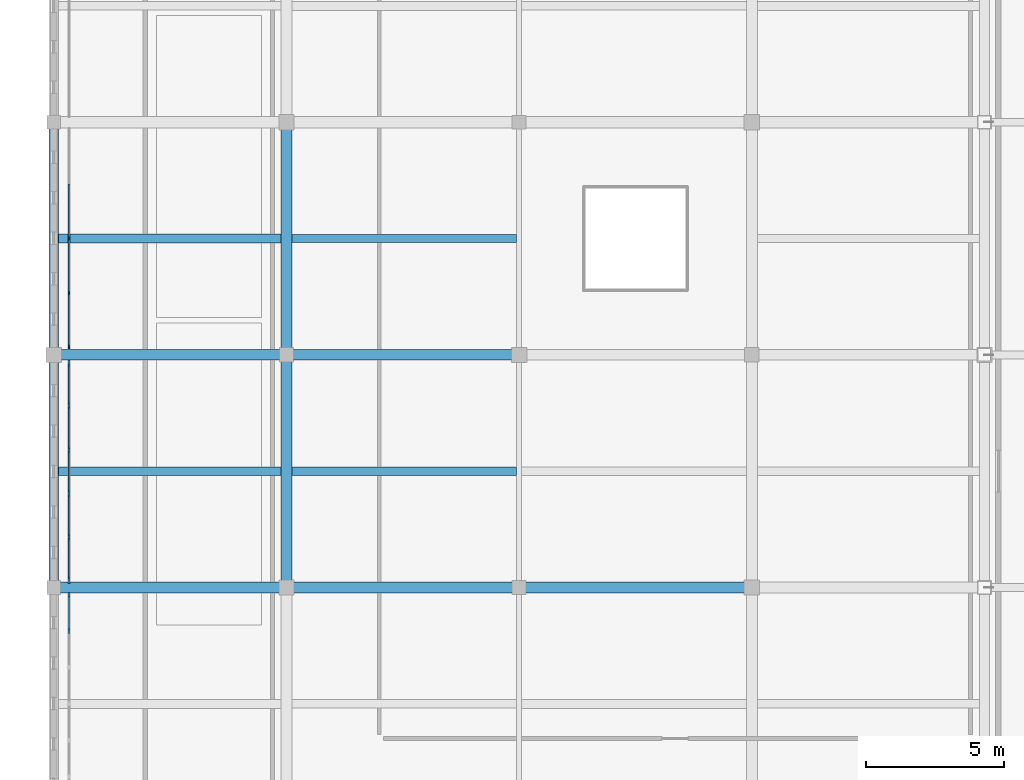
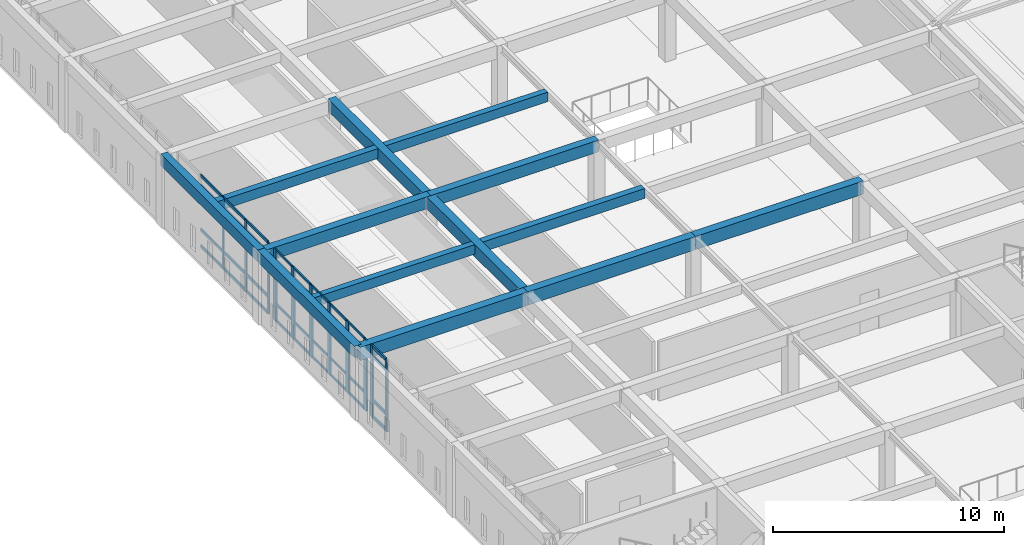
# One storey, part 8 of 36: 47 members, 13 beams, 3 elements without a shape of their own.
"""IFC4 building model written with IfcOpenShell, lengths in metres."""

import ifcopenshell
import ifcopenshell.guid

model = None  # the IFC model being written
_history = None  # IfcOwnerHistory: only IFC2X3 demands one
_inside = {}  # id of a spatial element -> (the spatial element, [elements in it])
_under = {}  # id of a project, library or spatial element -> (it, [spatial elements below it])
_declared = {}  # id of a project -> (the project, [libraries it declares])
_typed = {}  # id of a type object -> (the type object, [elements of that type])
_made_of = {}  # id of a material, layer set ... -> (it, [elements and type objects made of it])


def new_model(schema):
    """Start an empty IFC model of exactly this schema.

    Asked for "IFC4X3", IfcOpenShell would pick the latest addendum, in which some entities
    have other attributes; the version numbers below select the first issue.
    IFC2X3 requires an IfcOwnerHistory on every rooted entity: one is made here for all.
    """
    global model, _history
    if schema == "IFC4X3":
        model = ifcopenshell.file(schema_version=(4, 3, 0, 0))
    else:
        model = ifcopenshell.file(schema=schema)
    _inside.clear()
    _under.clear()
    _declared.clear()
    _typed.clear()
    _made_of.clear()
    _history = None
    if model.schema == "IFC2X3":
        org = make("IfcOrganization", Name="unknown")
        user = make(
            "IfcPersonAndOrganization",
            ThePerson=make("IfcPerson", FamilyName="unknown"),
            TheOrganization=org,
        )
        app = make(
            "IfcApplication",
            ApplicationDeveloper=org,
            Version="unknown",
            ApplicationFullName="unknown",
            ApplicationIdentifier="unknown",
        )
        _history = make(
            "IfcOwnerHistory",
            OwningUser=user,
            OwningApplication=app,
            ChangeAction="ADDED",
            CreationDate=0,
        )
    return model


def make(cls, **values):
    """One entity of the class cls with the attributes given. An attribute that is None is left unset."""
    return model.create_entity(
        cls, **{name: value for name, value in values.items() if value is not None}
    )


def rooted(cls, **values):
    """An entity with a GlobalId (a new one), such as an element, a storey or a relation."""
    return make(cls, GlobalId=ifcopenshell.guid.new(), OwnerHistory=_history, **values)


def si_unit(unit_type, name, prefix=None):
    """IfcSIUnit, for example si_unit("LENGTHUNIT", "METRE", prefix="MILLI")."""
    return make("IfcSIUnit", UnitType=unit_type, Prefix=prefix, Name=name)


def assignment(units):
    """IfcUnitAssignment: the units of a project."""
    return None if units is None else make("IfcUnitAssignment", Units=units)


def point(xyz):
    """IfcCartesianPoint."""
    return None if xyz is None else make("IfcCartesianPoint", Coordinates=xyz)


def direction(xyz):
    """IfcDirection."""
    return None if xyz is None else make("IfcDirection", DirectionRatios=xyz)


def frame(location, z_axis=None, x_axis=None):
    """IfcAxis2Placement3D, a coordinate frame: its origin and axes. An axis left out is left unset."""
    return make(
        "IfcAxis2Placement3D",
        Location=point(location),
        Axis=direction(z_axis),
        RefDirection=direction(x_axis),
    )


def frame_2d(location, x_axis=None):
    """IfcAxis2Placement2D, a coordinate frame in the plane: its origin and x axis."""
    return make(
        "IfcAxis2Placement2D", Location=point(location), RefDirection=direction(x_axis)
    )


def origin():
    """The frame at (0, 0, 0) with its axes left unset."""
    return frame((0.0, 0.0, 0.0))


def origin_2d():
    """The frame at (0, 0) in the plane with its x axis left unset."""
    return frame_2d((0.0, 0.0))


def place(relative_to, where):
    """IfcLocalPlacement: puts the frame where relative to a parent placement (None: the world)."""
    return make(
        "IfcLocalPlacement", PlacementRelTo=relative_to, RelativePlacement=where
    )


def context(
    kind, dimensions, precision=None, world=None, true_north=None, identifier=None
):
    """IfcGeometricRepresentationContext, for example the 3D "Model" context."""
    return make(
        "IfcGeometricRepresentationContext",
        ContextIdentifier=identifier,
        ContextType=kind,
        CoordinateSpaceDimension=dimensions,
        Precision=precision,
        WorldCoordinateSystem=world,
        TrueNorth=true_north,
    )


def subcontext(parent, identifier, kind, view, scale=None):
    """IfcGeometricRepresentationSubContext, for example "Body" below "Model"."""
    return make(
        "IfcGeometricRepresentationSubContext",
        ContextIdentifier=identifier,
        ContextType=kind,
        ParentContext=parent,
        TargetScale=scale,
        TargetView=view,
    )


def project(units=None, contexts=None):
    """IfcProject with its units and contexts."""
    return rooted(
        "IfcProject",
        Name="project",
        RepresentationContexts=contexts,
        UnitsInContext=assignment(units),
    )


def spatial(cls, under=None, at=None, **own):
    """A site, building, storey or space (cls), placed at a placement, below another one or the project."""
    s = rooted(cls, ObjectPlacement=at, **own)
    if under is not None:
        _under.setdefault(under.id(), (under, []))[1].append(s)
    return s


def profile(cls, at=None, kind="AREA", **sizes):
    """A parametric profile (cls). Its sizes go by their IFC names, for example OverallWidth=200.0."""
    return make(cls, ProfileType=kind, Position=at, **sizes)


def rectangle(**sizes):
    """IfcRectangleProfileDef."""
    return profile("IfcRectangleProfileDef", **sizes)


def extrude(swept, where, along, depth):
    """IfcExtrudedAreaSolid: the profile swept, set in the frame where, extruded along a direction by depth."""
    return make(
        "IfcExtrudedAreaSolid",
        SweptArea=swept,
        Position=where,
        ExtrudedDirection=direction(along),
        Depth=depth,
    )


def shape(context_of_items, identifier, shape_type, items):
    """IfcShapeRepresentation: the items that make up one representation, for example the "Body"."""
    return make(
        "IfcShapeRepresentation",
        ContextOfItems=context_of_items,
        RepresentationIdentifier=identifier,
        RepresentationType=shape_type,
        Items=items,
    )


def material(Name=None, Category=None):
    """IfcMaterial."""
    return make("IfcMaterial", Name=Name, Category=Category)


def layer(
    of_material, thickness, ventilated=None, Name=None, Category=None, Priority=None
):
    """IfcMaterialLayer: one layer of a wall or slab, of a material (None: an air gap)."""
    return make(
        "IfcMaterialLayer",
        Material=of_material,
        LayerThickness=thickness,
        IsVentilated=ventilated,
        Name=Name,
        Category=Category,
        Priority=Priority,
    )


def layer_set(layers, Name=None):
    """IfcMaterialLayerSet."""
    return make("IfcMaterialLayerSet", MaterialLayers=layers, LayerSetName=Name)


def material_profile(
    of_material, cross_section, Name=None, Category=None, Priority=None
):
    """IfcMaterialProfile: a cross section and its material."""
    return make(
        "IfcMaterialProfile",
        Name=Name,
        Material=of_material,
        Profile=cross_section,
        Priority=Priority,
        Category=Category,
    )


def profile_set(profiles, Name=None, composite=None):
    """IfcMaterialProfileSet."""
    return make(
        "IfcMaterialProfileSet",
        Name=Name,
        MaterialProfiles=profiles,
        CompositeProfile=composite,
    )


def made_of(thing, what):
    """Note that an element or type object is made of a material, layer set ...; save() writes the relation."""
    if what is not None:
        _made_of.setdefault(what.id(), (what, []))[1].append(thing)
    return thing


def type_object(cls, material=None, **own):
    """A type object (cls), such as IfcWallType, which elements share."""
    return made_of(rooted(cls, **own), material)


def element(
    cls,
    number,
    at=None,
    inside=None,
    cuts=None,
    type_object=None,
    material=None,
    context=None,
    identifier="Body",
    shape_type=None,
    held_by="IfcProductDefinitionShape",
    body=None,
    shapes=None,
    **own,
):
    """One element of the class cls, such as IfcWall. Its Tag is "e" and its number.

    at: its placement. inside: the storey or other place that contains it. cuts: it is an
    opening in that element (IfcRelVoidsElement). A single representation is given by context,
    identifier, shape_type and body (its items); several are given by shapes. held_by: the class
    of the entity that holds the representations. save() writes the other relations.
    """
    e = rooted(cls, Tag="e%d" % number, ObjectPlacement=at, **own)
    if body is not None:
        shapes = [shape(context, identifier, shape_type, body)]
    if shapes is not None:
        e.Representation = make(held_by, Representations=shapes)
    if inside is not None:
        _inside.setdefault(inside.id(), (inside, []))[1].append(e)
    if cuts is not None:
        rooted(
            "IfcRelVoidsElement", RelatingBuildingElement=cuts, RelatedOpeningElement=e
        )
    if type_object is not None:
        _typed.setdefault(type_object.id(), (type_object, []))[1].append(e)
    return made_of(e, material)


def aggregate(whole, parts):
    """IfcRelAggregates: a whole, such as a stair, and the parts it consists of."""
    return rooted("IfcRelAggregates", RelatingObject=whole, RelatedObjects=parts)


def save(model, path):
    """Write the relations noted so far, then the file.

    IfcRelAggregates (storeys below a building ...), IfcRelContainedInSpatialStructure (elements
    in a storey), IfcRelDefinesByType, IfcRelAssociatesMaterial and IfcRelDeclares: one each for
    every whole, place, type object, material and project.
    """
    for whole, parts in _under.values():
        aggregate(whole, parts)
    for where, things in _inside.values():
        rooted(
            "IfcRelContainedInSpatialStructure",
            RelatedElements=things,
            RelatingStructure=where,
        )
    for kind, things in _typed.values():
        rooted("IfcRelDefinesByType", RelatedObjects=things, RelatingType=kind)
    for what, things in _made_of.values():
        rooted("IfcRelAssociatesMaterial", RelatedObjects=things, RelatingMaterial=what)
    for by, libraries in _declared.values():
        rooted("IfcRelDeclares", RelatingContext=by, RelatedDefinitions=libraries)
    model.write(path)


model = new_model("IFC4")

# Units and contexts
model_context = context("Model", 3, precision=1e-05, world=origin(), true_north=direction((0.0, 1.0)))
body_context = subcontext(model_context, "Body", "Model", "MODEL_VIEW")
ifc_project = project(units=[si_unit("LENGTHUNIT", "METRE"), si_unit("AREAUNIT", "SQUARE_METRE"), si_unit("VOLUMEUNIT", "CUBIC_METRE"), si_unit("PLANEANGLEUNIT", "RADIAN"), si_unit("MASSUNIT", "GRAM", prefix="KILO")], contexts=[model_context])

# Site, building, storey
site_placement = place(None, origin())
site = spatial("IfcSite", under=ifc_project, at=site_placement, CompositionType="ELEMENT")
building_placement = place(site_placement, origin())
building = spatial("IfcBuilding", under=site, at=building_placement, Name="Kveldsbrygga Polytechnic", CompositionType="ELEMENT")
storey_placement = place(building_placement, frame((0.0, 0.0, 22.10009765625)))
storey = spatial("IfcBuildingStorey", under=building, at=storey_placement, Name="L05", CompositionType="ELEMENT", Elevation=22.10009765625)

# Beams
ifc_material_1 = material(Name="Concrete C35/45", Category="concrete")
ifc_material_profile_1 = material_profile(ifc_material_1, rectangle(XDim=0.3798828125, YDim=0.6201171875, at=origin_2d()), Name="RC 380x620")
ifc_profile_set_1 = profile_set([ifc_material_profile_1], Name="Concrete C35/45")
beam_type_1 = type_object("IfcBeamType", Name="BM-RC-380x620", PredefinedType="BEAM", material=ifc_profile_set_1)
beam_1_placement = place(storey_placement, frame((126.0, 58.800048828125, 3.469970703125), z_axis=(1.0, 0.0, 0.0), x_axis=(0.0, 1.0, 0.0)))
element("IfcBeam", 1, at=beam_1_placement, inside=storey, type_object=beam_type_1, Name="Primary Beam BMX-L05-15to16-07", PredefinedType="BEAM", context=body_context, shape_type="SweptSolid", body=[
    extrude(rectangle(XDim=0.3798828125, YDim=0.6201171875, at=origin_2d()), origin(), (0.0, 0.0, 1.0), 8.39990234375),
])
beam_2_placement = place(storey_placement, frame((134.39990234375, 58.800048828125, 3.469970703125), z_axis=(1.0, 0.0, 0.0), x_axis=(0.0, 1.0, 0.0)))
element("IfcBeam", 2, at=beam_2_placement, inside=storey, type_object=beam_type_1, Name="Primary Beam BMX-L05-16to17-07", PredefinedType="BEAM", context=body_context, shape_type="SweptSolid", body=[
    extrude(rectangle(XDim=0.3798828125, YDim=0.6201171875, at=origin_2d()), origin(), (0.0, 0.0, 1.0), 8.400146484375),
])
ifc_material_profile_2 = material_profile(ifc_material_1, rectangle(XDim=0.39990234375, YDim=0.64990234375, at=origin_2d()), Name="RC 400x650")
ifc_profile_set_2 = profile_set([ifc_material_profile_2], Name="Concrete C35/45")
beam_type_2 = type_object("IfcBeamType", Name="BM-RC-400x650", PredefinedType="BEAM", material=ifc_profile_set_2)
beam_3_placement = place(storey_placement, frame((134.39990234375, 50.39990234375, 3.454833984375), z_axis=(0.0, 1.0, 0.0), x_axis=(-1.0, 0.0, 0.0)))
element("IfcBeam", 3, at=beam_3_placement, inside=storey, type_object=beam_type_2, Name="Primary Beam BMY-L05-16-06to07", PredefinedType="BEAM", context=body_context, shape_type="SweptSolid", body=[
    extrude(rectangle(XDim=0.39990234375, YDim=0.64990234375, at=origin_2d()), origin(), (0.0, 0.0, 1.0), 8.400146484375),
])
beam_4_placement = place(storey_placement, frame((134.39990234375, 58.800048828125, 3.454833984375), z_axis=(0.0, 1.0, 0.0), x_axis=(-1.0, 0.0, 0.0)))
element("IfcBeam", 4, at=beam_4_placement, inside=storey, type_object=beam_type_2, Name="Primary Beam BMY-L05-16-07to08", PredefinedType="BEAM", context=body_context, shape_type="SweptSolid", body=[
    extrude(rectangle(XDim=0.39990234375, YDim=0.64990234375, at=origin_2d()), origin(), (0.0, 0.0, 1.0), 8.39990234375),
])
ifc_material_profile_3 = material_profile(ifc_material_1, rectangle(XDim=0.39990234375, YDim=0.699951171875, at=origin_2d()), Name="RC 400x700")
ifc_profile_set_3 = profile_set([ifc_material_profile_3], Name="Concrete C35/45")
beam_type_3 = type_object("IfcBeamType", Name="BM-RC-400x700", PredefinedType="BEAM", material=ifc_profile_set_3)
beam_5_placement = place(storey_placement, frame((126.0, 50.39990234375, 3.429931640625), z_axis=(1.0, 0.0, 0.0), x_axis=(0.0, 1.0, 0.0)))
element("IfcBeam", 5, at=beam_5_placement, inside=storey, type_object=beam_type_3, Name="Primary Beam BMX-L05-15to16-06", PredefinedType="BEAM", context=body_context, shape_type="SweptSolid", body=[
    extrude(rectangle(XDim=0.39990234375, YDim=0.699951171875, at=origin_2d()), origin(), (0.0, 0.0, 1.0), 8.39990234375),
])
beam_6_placement = place(storey_placement, frame((134.39990234375, 50.39990234375, 3.429931640625), z_axis=(1.0, 0.0, 0.0), x_axis=(0.0, 1.0, 0.0)))
element("IfcBeam", 6, at=beam_6_placement, inside=storey, type_object=beam_type_3, Name="Primary Beam BMX-L05-16to17-06", PredefinedType="BEAM", context=body_context, shape_type="SweptSolid", body=[
    extrude(rectangle(XDim=0.39990234375, YDim=0.699951171875, at=origin_2d()), origin(), (0.0, 0.0, 1.0), 8.400146484375),
])
beam_7_placement = place(storey_placement, frame((142.800048828125, 50.39990234375, 3.429931640625), z_axis=(1.0, 0.0, 0.0), x_axis=(0.0, 1.0, 0.0)))
element("IfcBeam", 7, at=beam_7_placement, inside=storey, type_object=beam_type_3, Name="Primary Beam BMX-L05-17to18-06", PredefinedType="BEAM", context=body_context, shape_type="SweptSolid", body=[
    extrude(rectangle(XDim=0.39990234375, YDim=0.699951171875, at=origin_2d()), origin(), (0.0, 0.0, 1.0), 8.39990234375),
])
ifc_material_profile_4 = material_profile(ifc_material_1, rectangle(XDim=0.35009765625, YDim=0.60009765625, at=origin_2d()), Name="RC 350x600")
ifc_profile_set_4 = profile_set([ifc_material_profile_4], Name="Concrete C35/45")
beam_type_4 = type_object("IfcBeamType", Name="BM-SPANDREL-600", PredefinedType="T_BEAM", material=ifc_profile_set_4)
beam_8_placement = place(storey_placement, frame((126.0, 50.39990234375, 3.47998046875), z_axis=(0.0, 1.0, 0.0), x_axis=(-1.0, 0.0, 0.0)))
element("IfcBeam", 8, at=beam_8_placement, inside=storey, type_object=beam_type_4, Name="Primary Beam BMY-L05-15-06to07", PredefinedType="T_BEAM", context=body_context, shape_type="SweptSolid", body=[
    extrude(rectangle(XDim=0.35009765625, YDim=0.60009765625, at=origin_2d()), origin(), (0.0, 0.0, 1.0), 8.400146484375),
])
beam_9_placement = place(storey_placement, frame((126.0, 58.800048828125, 3.47998046875), z_axis=(0.0, 1.0, 0.0), x_axis=(-1.0, 0.0, 0.0)))
element("IfcBeam", 9, at=beam_9_placement, inside=storey, type_object=beam_type_4, Name="Primary Beam BMY-L05-15-07to08", PredefinedType="T_BEAM", context=body_context, shape_type="SweptSolid", body=[
    extrude(rectangle(XDim=0.35009765625, YDim=0.60009765625, at=origin_2d()), origin(), (0.0, 0.0, 1.0), 8.39990234375),
])

# Curtain wall, members
ifc_material_2 = material(Name="Anodised aluminium AW-6060", Category="aluminium")
ifc_layer_1 = layer(ifc_material_2, 0.199951171875)
ifc_layer_set_1 = layer_set([ifc_layer_1], Name="Anodised aluminium AW-6060")
curtain_wall_type_1 = type_object("IfcCurtainWallType", Name="CW-LANC-E", PredefinedType="USERDEFINED", material=ifc_layer_set_1)
curtain_wall_1_placement = place(storey_placement, origin())
curtain_wall_1 = element("IfcCurtainWall", 10, at=curtain_wall_1_placement, inside=storey, type_object=curtain_wall_type_1, Name="Curtain Wall CW-L05-Y-15-07", ObjectType="UNITISED CURTAIN WALL", PredefinedType="USERDEFINED")
ifc_material_profile_5 = material_profile(ifc_material_2, rectangle(XDim=0.06005859375, YDim=0.139892578125, at=origin_2d()), Name="ALU 60x140")
ifc_profile_set_5 = profile_set([ifc_material_profile_5], Name="Anodised aluminium AW-6060")
member_type_1 = type_object("IfcMemberType", Name="CW-MUL-140", PredefinedType="MULLION", material=ifc_profile_set_5)
member_1_placement = place(storey_placement, frame((126.550048828125, 59.090087890625, 0.0), z_axis=(0.0, 0.0, 1.0), x_axis=(-1.0, 0.0, 0.0)))
member_1 = element("IfcMember", 11, at=member_1_placement, type_object=member_type_1, Name="CW-05 mullion 1", PredefinedType="MULLION", context=body_context, shape_type="SweptSolid", body=[
    extrude(rectangle(XDim=0.06005859375, YDim=0.139892578125, at=origin_2d()), origin(), (0.0, 0.0, 1.0), 3.77978515625),
])
member_2_placement = place(storey_placement, frame((126.550048828125, 61.0361328125, 0.0), z_axis=(0.0, 0.0, 1.0), x_axis=(-1.0, 0.0, 0.0)))
member_2 = element("IfcMember", 12, at=member_2_placement, type_object=member_type_1, Name="CW-05 mullion 2", PredefinedType="MULLION", context=body_context, shape_type="SweptSolid", body=[
    extrude(rectangle(XDim=0.06005859375, YDim=0.139892578125, at=origin_2d()), origin(), (0.0, 0.0, 1.0), 3.77978515625),
])
member_3_placement = place(storey_placement, frame((126.550048828125, 63.012451171875, 0.0), z_axis=(0.0, 0.0, 1.0), x_axis=(-1.0, 0.0, 0.0)))
member_3 = element("IfcMember", 13, at=member_3_placement, type_object=member_type_1, Name="CW-05 mullion 3", PredefinedType="MULLION", context=body_context, shape_type="SweptSolid", body=[
    extrude(rectangle(XDim=0.06005859375, YDim=0.139892578125, at=origin_2d()), origin(), (0.0, 0.0, 1.0), 3.77978515625),
])

ifc_layer_2 = layer(ifc_material_2, 0.159912109375)
ifc_layer_set_2 = layer_set([ifc_layer_2], Name="Anodised aluminium AW-6060")
curtain_wall_type_2 = type_object("IfcCurtainWallType", Name="CW-CLER-C", PredefinedType="USERDEFINED", material=ifc_layer_set_2)
curtain_wall_2_placement = place(storey_placement, origin())
curtain_wall_2 = element("IfcCurtainWall", 14, at=curtain_wall_2_placement, inside=storey, type_object=curtain_wall_type_2, Name="Curtain Wall CW-L05-Y-15-05", ObjectType="STICK CURTAIN WALL", PredefinedType="USERDEFINED")
ifc_material_profile_6 = material_profile(ifc_material_2, rectangle(XDim=0.074951171875, YDim=0.199951171875, at=origin_2d()), Name="ALU 75x200")
ifc_profile_set_6 = profile_set([ifc_material_profile_6], Name="Anodised aluminium AW-6060")
member_type_2 = type_object("IfcMemberType", Name="CW-MUL-200", PredefinedType="MULLION", material=ifc_profile_set_6)
member_4_placement = place(storey_placement, frame((126.550048828125, 48.847412109375, 0.0), z_axis=(0.0, 0.0, 1.0), x_axis=(-1.0, 0.0, 0.0)))
member_4 = element("IfcMember", 15, at=member_4_placement, type_object=member_type_2, Name="CW-03 mullion 6", PredefinedType="MULLION", context=body_context, shape_type="SweptSolid", body=[
    extrude(rectangle(XDim=0.074951171875, YDim=0.199951171875, at=origin_2d()), origin(), (0.0, 0.0, 1.0), 3.77978515625),
])
member_5_placement = place(storey_placement, frame((126.550048828125, 50.12744140625, 0.0), z_axis=(0.0, 0.0, 1.0), x_axis=(-1.0, 0.0, 0.0)))
member_5 = element("IfcMember", 16, at=member_5_placement, type_object=member_type_2, Name="CW-03 mullion 7", PredefinedType="MULLION", context=body_context, shape_type="SweptSolid", body=[
    extrude(rectangle(XDim=0.074951171875, YDim=0.199951171875, at=origin_2d()), origin(), (0.0, 0.0, 1.0), 3.77978515625),
])

ifc_layer_3 = layer(ifc_material_2, 0.179931640625)
ifc_layer_set_3 = layer_set([ifc_layer_3], Name="Anodised aluminium AW-6060")
curtain_wall_type_3 = type_object("IfcCurtainWallType", Name="CW-LANC-D", PredefinedType="USERDEFINED", material=ifc_layer_set_3)
curtain_wall_3_placement = place(storey_placement, origin())
curtain_wall_3 = element("IfcCurtainWall", 17, at=curtain_wall_3_placement, inside=storey, type_object=curtain_wall_type_3, Name="Curtain Wall CW-L05-Y-15-06", ObjectType="UNITISED CURTAIN WALL", PredefinedType="USERDEFINED")
ifc_material_profile_7 = material_profile(ifc_material_2, rectangle(XDim=0.074951171875, YDim=0.239990234375, at=origin_2d()), Name="ALU 75x240")
ifc_profile_set_7 = profile_set([ifc_material_profile_7], Name="Anodised aluminium AW-6060")
member_type_3 = type_object("IfcMemberType", Name="CW-MUL-240", PredefinedType="MULLION", material=ifc_profile_set_7)
member_6_placement = place(storey_placement, frame((126.550048828125, 50.672607421875, 0.0), z_axis=(0.0, 0.0, 1.0), x_axis=(-1.0, 0.0, 0.0)))
member_6 = element("IfcMember", 18, at=member_6_placement, type_object=member_type_3, Name="CW-04 mullion 1", PredefinedType="MULLION", context=body_context, shape_type="SweptSolid", body=[
    extrude(rectangle(XDim=0.074951171875, YDim=0.239990234375, at=origin_2d()), origin(), (0.0, 0.0, 1.0), 3.77978515625),
])
member_7_placement = place(storey_placement, frame((126.550048828125, 52.216064453125, 0.0), z_axis=(0.0, 0.0, 1.0), x_axis=(-1.0, 0.0, 0.0)))
member_7 = element("IfcMember", 19, at=member_7_placement, type_object=member_type_3, Name="CW-04 mullion 2", PredefinedType="MULLION", context=body_context, shape_type="SweptSolid", body=[
    extrude(rectangle(XDim=0.074951171875, YDim=0.239990234375, at=origin_2d()), origin(), (0.0, 0.0, 1.0), 3.77978515625),
])
member_8_placement = place(storey_placement, frame((126.550048828125, 53.797119140625, 0.0), z_axis=(0.0, 0.0, 1.0), x_axis=(-1.0, 0.0, 0.0)))
member_8 = element("IfcMember", 20, at=member_8_placement, type_object=member_type_3, Name="CW-04 mullion 3", PredefinedType="MULLION", context=body_context, shape_type="SweptSolid", body=[
    extrude(rectangle(XDim=0.074951171875, YDim=0.239990234375, at=origin_2d()), origin(), (0.0, 0.0, 1.0), 3.77978515625),
])
member_9_placement = place(storey_placement, frame((126.550048828125, 55.3779296875, 0.0), z_axis=(0.0, 0.0, 1.0), x_axis=(-1.0, 0.0, 0.0)))
member_9 = element("IfcMember", 21, at=member_9_placement, type_object=member_type_3, Name="CW-04 mullion 4", PredefinedType="MULLION", context=body_context, shape_type="SweptSolid", body=[
    extrude(rectangle(XDim=0.074951171875, YDim=0.239990234375, at=origin_2d()), origin(), (0.0, 0.0, 1.0), 3.77978515625),
])
member_10_placement = place(storey_placement, frame((126.550048828125, 56.958984375, 0.0), z_axis=(0.0, 0.0, 1.0), x_axis=(-1.0, 0.0, 0.0)))
member_10 = element("IfcMember", 22, at=member_10_placement, type_object=member_type_3, Name="CW-04 mullion 5", PredefinedType="MULLION", context=body_context, shape_type="SweptSolid", body=[
    extrude(rectangle(XDim=0.074951171875, YDim=0.239990234375, at=origin_2d()), origin(), (0.0, 0.0, 1.0), 3.77978515625),
])
member_11_placement = place(storey_placement, frame((126.550048828125, 58.50244140625, 0.0), z_axis=(0.0, 0.0, 1.0), x_axis=(-1.0, 0.0, 0.0)))
member_11 = element("IfcMember", 23, at=member_11_placement, type_object=member_type_3, Name="CW-04 mullion 6", PredefinedType="MULLION", context=body_context, shape_type="SweptSolid", body=[
    extrude(rectangle(XDim=0.074951171875, YDim=0.239990234375, at=origin_2d()), origin(), (0.0, 0.0, 1.0), 3.77978515625),
])
ifc_material_profile_8 = material_profile(ifc_material_2, rectangle(XDim=0.06005859375, YDim=0.1201171875, at=origin_2d()), Name="ALU 60x120")
ifc_profile_set_8 = profile_set([ifc_material_profile_8], Name="Anodised aluminium AW-6060")
member_type_4 = type_object("IfcMemberType", Name="CW-TRN-120", PredefinedType="USERDEFINED", material=ifc_profile_set_8)
member_12_placement = place(storey_placement, frame((126.550048828125, 50.7099609375, 0.02978515625), z_axis=(0.0, 1.0, 0.0), x_axis=(-1.0, 0.0, 0.0)))
member_12 = element("IfcMember", 24, at=member_12_placement, type_object=member_type_4, Name="CW-04 transom 1.1", ObjectType="TRANSOM", PredefinedType="USERDEFINED", context=body_context, shape_type="SweptSolid", body=[
    extrude(rectangle(XDim=0.06005859375, YDim=0.1201171875, at=origin_2d()), origin(), (0.0, 0.0, 1.0), 1.468505859375),
])
member_13_placement = place(storey_placement, frame((126.550048828125, 50.7099609375, 0.89990234375), z_axis=(0.0, 1.0, 0.0), x_axis=(-1.0, 0.0, 0.0)))
member_13 = element("IfcMember", 25, at=member_13_placement, type_object=member_type_4, Name="CW-04 transom 1.2", ObjectType="TRANSOM", PredefinedType="USERDEFINED", context=body_context, shape_type="SweptSolid", body=[
    extrude(rectangle(XDim=0.06005859375, YDim=0.1201171875, at=origin_2d()), origin(), (0.0, 0.0, 1.0), 1.468505859375),
])
member_14_placement = place(storey_placement, frame((126.550048828125, 50.7099609375, 3.22998046875), z_axis=(0.0, 1.0, 0.0), x_axis=(-1.0, 0.0, 0.0)))
member_14 = element("IfcMember", 26, at=member_14_placement, type_object=member_type_4, Name="CW-04 transom 1.3", ObjectType="TRANSOM", PredefinedType="USERDEFINED", context=body_context, shape_type="SweptSolid", body=[
    extrude(rectangle(XDim=0.06005859375, YDim=0.1201171875, at=origin_2d()), origin(), (0.0, 0.0, 1.0), 1.468505859375),
])
member_15_placement = place(storey_placement, frame((126.550048828125, 50.7099609375, 3.75), z_axis=(0.0, 1.0, 0.0), x_axis=(-1.0, 0.0, 0.0)))
member_15 = element("IfcMember", 27, at=member_15_placement, type_object=member_type_4, Name="CW-04 transom 1.4", ObjectType="TRANSOM", PredefinedType="USERDEFINED", context=body_context, shape_type="SweptSolid", body=[
    extrude(rectangle(XDim=0.06005859375, YDim=0.1201171875, at=origin_2d()), origin(), (0.0, 0.0, 1.0), 1.468505859375),
])
member_16_placement = place(storey_placement, frame((126.550048828125, 52.25341796875, 0.02978515625), z_axis=(0.0, 1.0, 0.0), x_axis=(-1.0, 0.0, 0.0)))
member_16 = element("IfcMember", 28, at=member_16_placement, type_object=member_type_4, Name="CW-04 transom 2.1", ObjectType="TRANSOM", PredefinedType="USERDEFINED", context=body_context, shape_type="SweptSolid", body=[
    extrude(rectangle(XDim=0.06005859375, YDim=0.1201171875, at=origin_2d()), origin(), (0.0, 0.0, 1.0), 1.506103515625),
])
member_17_placement = place(storey_placement, frame((126.550048828125, 52.25341796875, 0.89990234375), z_axis=(0.0, 1.0, 0.0), x_axis=(-1.0, 0.0, 0.0)))
member_17 = element("IfcMember", 29, at=member_17_placement, type_object=member_type_4, Name="CW-04 transom 2.2", ObjectType="TRANSOM", PredefinedType="USERDEFINED", context=body_context, shape_type="SweptSolid", body=[
    extrude(rectangle(XDim=0.06005859375, YDim=0.1201171875, at=origin_2d()), origin(), (0.0, 0.0, 1.0), 1.506103515625),
])
member_18_placement = place(storey_placement, frame((126.550048828125, 52.25341796875, 3.22998046875), z_axis=(0.0, 1.0, 0.0), x_axis=(-1.0, 0.0, 0.0)))
member_18 = element("IfcMember", 30, at=member_18_placement, type_object=member_type_4, Name="CW-04 transom 2.3", ObjectType="TRANSOM", PredefinedType="USERDEFINED", context=body_context, shape_type="SweptSolid", body=[
    extrude(rectangle(XDim=0.06005859375, YDim=0.1201171875, at=origin_2d()), origin(), (0.0, 0.0, 1.0), 1.506103515625),
])
member_19_placement = place(storey_placement, frame((126.550048828125, 52.25341796875, 3.75), z_axis=(0.0, 1.0, 0.0), x_axis=(-1.0, 0.0, 0.0)))
member_19 = element("IfcMember", 31, at=member_19_placement, type_object=member_type_4, Name="CW-04 transom 2.4", ObjectType="TRANSOM", PredefinedType="USERDEFINED", context=body_context, shape_type="SweptSolid", body=[
    extrude(rectangle(XDim=0.06005859375, YDim=0.1201171875, at=origin_2d()), origin(), (0.0, 0.0, 1.0), 1.506103515625),
])
member_20_placement = place(storey_placement, frame((126.550048828125, 53.83447265625, 0.02978515625), z_axis=(0.0, 1.0, 0.0), x_axis=(-1.0, 0.0, 0.0)))
member_20 = element("IfcMember", 32, at=member_20_placement, type_object=member_type_4, Name="CW-04 transom 3.1", ObjectType="TRANSOM", PredefinedType="USERDEFINED", context=body_context, shape_type="SweptSolid", body=[
    extrude(rectangle(XDim=0.06005859375, YDim=0.1201171875, at=origin_2d()), origin(), (0.0, 0.0, 1.0), 1.506103515625),
])
member_21_placement = place(storey_placement, frame((126.550048828125, 53.83447265625, 0.89990234375), z_axis=(0.0, 1.0, 0.0), x_axis=(-1.0, 0.0, 0.0)))
member_21 = element("IfcMember", 33, at=member_21_placement, type_object=member_type_4, Name="CW-04 transom 3.2", ObjectType="TRANSOM", PredefinedType="USERDEFINED", context=body_context, shape_type="SweptSolid", body=[
    extrude(rectangle(XDim=0.06005859375, YDim=0.1201171875, at=origin_2d()), origin(), (0.0, 0.0, 1.0), 1.506103515625),
])
member_22_placement = place(storey_placement, frame((126.550048828125, 53.83447265625, 3.22998046875), z_axis=(0.0, 1.0, 0.0), x_axis=(-1.0, 0.0, 0.0)))
member_22 = element("IfcMember", 34, at=member_22_placement, type_object=member_type_4, Name="CW-04 transom 3.3", ObjectType="TRANSOM", PredefinedType="USERDEFINED", context=body_context, shape_type="SweptSolid", body=[
    extrude(rectangle(XDim=0.06005859375, YDim=0.1201171875, at=origin_2d()), origin(), (0.0, 0.0, 1.0), 1.506103515625),
])
member_23_placement = place(storey_placement, frame((126.550048828125, 53.83447265625, 3.75), z_axis=(0.0, 1.0, 0.0), x_axis=(-1.0, 0.0, 0.0)))
member_23 = element("IfcMember", 35, at=member_23_placement, type_object=member_type_4, Name="CW-04 transom 3.4", ObjectType="TRANSOM", PredefinedType="USERDEFINED", context=body_context, shape_type="SweptSolid", body=[
    extrude(rectangle(XDim=0.06005859375, YDim=0.1201171875, at=origin_2d()), origin(), (0.0, 0.0, 1.0), 1.506103515625),
])
member_24_placement = place(storey_placement, frame((126.550048828125, 55.41552734375, 0.02978515625), z_axis=(0.0, 1.0, 0.0), x_axis=(-1.0, 0.0, 0.0)))
member_24 = element("IfcMember", 36, at=member_24_placement, type_object=member_type_4, Name="CW-04 transom 4.1", ObjectType="TRANSOM", PredefinedType="USERDEFINED", context=body_context, shape_type="SweptSolid", body=[
    extrude(rectangle(XDim=0.06005859375, YDim=0.1201171875, at=origin_2d()), origin(), (0.0, 0.0, 1.0), 1.505859375),
])
member_25_placement = place(storey_placement, frame((126.550048828125, 55.41552734375, 0.89990234375), z_axis=(0.0, 1.0, 0.0), x_axis=(-1.0, 0.0, 0.0)))
member_25 = element("IfcMember", 37, at=member_25_placement, type_object=member_type_4, Name="CW-04 transom 4.2", ObjectType="TRANSOM", PredefinedType="USERDEFINED", context=body_context, shape_type="SweptSolid", body=[
    extrude(rectangle(XDim=0.06005859375, YDim=0.1201171875, at=origin_2d()), origin(), (0.0, 0.0, 1.0), 1.505859375),
])
member_26_placement = place(storey_placement, frame((126.550048828125, 55.41552734375, 3.22998046875), z_axis=(0.0, 1.0, 0.0), x_axis=(-1.0, 0.0, 0.0)))
member_26 = element("IfcMember", 38, at=member_26_placement, type_object=member_type_4, Name="CW-04 transom 4.3", ObjectType="TRANSOM", PredefinedType="USERDEFINED", context=body_context, shape_type="SweptSolid", body=[
    extrude(rectangle(XDim=0.06005859375, YDim=0.1201171875, at=origin_2d()), origin(), (0.0, 0.0, 1.0), 1.505859375),
])
member_27_placement = place(storey_placement, frame((126.550048828125, 55.41552734375, 3.75), z_axis=(0.0, 1.0, 0.0), x_axis=(-1.0, 0.0, 0.0)))
member_27 = element("IfcMember", 39, at=member_27_placement, type_object=member_type_4, Name="CW-04 transom 4.4", ObjectType="TRANSOM", PredefinedType="USERDEFINED", context=body_context, shape_type="SweptSolid", body=[
    extrude(rectangle(XDim=0.06005859375, YDim=0.1201171875, at=origin_2d()), origin(), (0.0, 0.0, 1.0), 1.505859375),
])
member_28_placement = place(storey_placement, frame((126.550048828125, 56.99658203125, 0.02978515625), z_axis=(0.0, 1.0, 0.0), x_axis=(-1.0, 0.0, 0.0)))
member_28 = element("IfcMember", 40, at=member_28_placement, type_object=member_type_4, Name="CW-04 transom 5.1", ObjectType="TRANSOM", PredefinedType="USERDEFINED", context=body_context, shape_type="SweptSolid", body=[
    extrude(rectangle(XDim=0.06005859375, YDim=0.1201171875, at=origin_2d()), origin(), (0.0, 0.0, 1.0), 1.468505859375),
])
member_29_placement = place(storey_placement, frame((126.550048828125, 56.99658203125, 0.89990234375), z_axis=(0.0, 1.0, 0.0), x_axis=(-1.0, 0.0, 0.0)))
member_29 = element("IfcMember", 41, at=member_29_placement, type_object=member_type_4, Name="CW-04 transom 5.2", ObjectType="TRANSOM", PredefinedType="USERDEFINED", context=body_context, shape_type="SweptSolid", body=[
    extrude(rectangle(XDim=0.06005859375, YDim=0.1201171875, at=origin_2d()), origin(), (0.0, 0.0, 1.0), 1.468505859375),
])
member_30_placement = place(storey_placement, frame((126.550048828125, 56.99658203125, 3.22998046875), z_axis=(0.0, 1.0, 0.0), x_axis=(-1.0, 0.0, 0.0)))
member_30 = element("IfcMember", 42, at=member_30_placement, type_object=member_type_4, Name="CW-04 transom 5.3", ObjectType="TRANSOM", PredefinedType="USERDEFINED", context=body_context, shape_type="SweptSolid", body=[
    extrude(rectangle(XDim=0.06005859375, YDim=0.1201171875, at=origin_2d()), origin(), (0.0, 0.0, 1.0), 1.468505859375),
])
member_31_placement = place(storey_placement, frame((126.550048828125, 56.99658203125, 3.75), z_axis=(0.0, 1.0, 0.0), x_axis=(-1.0, 0.0, 0.0)))
member_31 = element("IfcMember", 43, at=member_31_placement, type_object=member_type_4, Name="CW-04 transom 5.4", ObjectType="TRANSOM", PredefinedType="USERDEFINED", context=body_context, shape_type="SweptSolid", body=[
    extrude(rectangle(XDim=0.06005859375, YDim=0.1201171875, at=origin_2d()), origin(), (0.0, 0.0, 1.0), 1.468505859375),
])
aggregate(curtain_wall_3, [member_6, member_7, member_8, member_9, member_10, member_11, member_12, member_13, member_14, member_15, member_16, member_17, member_18, member_19, member_20, member_21, member_22, member_23, member_24, member_25, member_26, member_27, member_28, member_29, member_30, member_31])

# Member
ifc_material_profile_9 = material_profile(ifc_material_2, rectangle(XDim=0.06005859375, YDim=0.14990234375, at=origin_2d()), Name="ALU 60x150")
ifc_profile_set_9 = profile_set([ifc_material_profile_9], Name="Anodised aluminium AW-6060")
member_type_5 = type_object("IfcMemberType", Name="CW-TRN-150", PredefinedType="USERDEFINED", material=ifc_profile_set_9)
member_32_placement = place(storey_placement, frame((126.550048828125, 59.1201171875, 0.02978515625), z_axis=(0.0, 1.0, 0.0), x_axis=(-1.0, 0.0, 0.0)))
member_32 = element("IfcMember", 44, at=member_32_placement, type_object=member_type_5, Name="CW-05 transom 1.1", ObjectType="TRANSOM", PredefinedType="USERDEFINED", context=body_context, shape_type="SweptSolid", body=[
    extrude(rectangle(XDim=0.06005859375, YDim=0.14990234375, at=origin_2d()), origin(), (0.0, 0.0, 1.0), 1.88623046875),
])

member_33_placement = place(storey_placement, frame((126.550048828125, 59.1201171875, 0.89990234375), z_axis=(0.0, 1.0, 0.0), x_axis=(-1.0, 0.0, 0.0)))
member_33 = element("IfcMember", 45, at=member_33_placement, type_object=member_type_5, Name="CW-05 transom 1.2", ObjectType="TRANSOM", PredefinedType="USERDEFINED", context=body_context, shape_type="SweptSolid", body=[
    extrude(rectangle(XDim=0.06005859375, YDim=0.14990234375, at=origin_2d()), origin(), (0.0, 0.0, 1.0), 1.88623046875),
])

member_34_placement = place(storey_placement, frame((126.550048828125, 59.1201171875, 3.22998046875), z_axis=(0.0, 1.0, 0.0), x_axis=(-1.0, 0.0, 0.0)))
member_34 = element("IfcMember", 46, at=member_34_placement, type_object=member_type_5, Name="CW-05 transom 1.3", ObjectType="TRANSOM", PredefinedType="USERDEFINED", context=body_context, shape_type="SweptSolid", body=[
    extrude(rectangle(XDim=0.06005859375, YDim=0.14990234375, at=origin_2d()), origin(), (0.0, 0.0, 1.0), 1.88623046875),
])

member_35_placement = place(storey_placement, frame((126.550048828125, 59.1201171875, 3.75), z_axis=(0.0, 1.0, 0.0), x_axis=(-1.0, 0.0, 0.0)))
member_35 = element("IfcMember", 47, at=member_35_placement, type_object=member_type_5, Name="CW-05 transom 1.4", ObjectType="TRANSOM", PredefinedType="USERDEFINED", context=body_context, shape_type="SweptSolid", body=[
    extrude(rectangle(XDim=0.06005859375, YDim=0.14990234375, at=origin_2d()), origin(), (0.0, 0.0, 1.0), 1.88623046875),
])

member_36_placement = place(storey_placement, frame((126.550048828125, 61.066162109375, 0.02978515625), z_axis=(0.0, 1.0, 0.0), x_axis=(-1.0, 0.0, 0.0)))
member_36 = element("IfcMember", 48, at=member_36_placement, type_object=member_type_5, Name="CW-05 transom 2.1", ObjectType="TRANSOM", PredefinedType="USERDEFINED", context=body_context, shape_type="SweptSolid", body=[
    extrude(rectangle(XDim=0.06005859375, YDim=0.14990234375, at=origin_2d()), origin(), (0.0, 0.0, 1.0), 1.916259765625),
])

member_37_placement = place(storey_placement, frame((126.550048828125, 61.066162109375, 0.89990234375), z_axis=(0.0, 1.0, 0.0), x_axis=(-1.0, 0.0, 0.0)))
member_37 = element("IfcMember", 49, at=member_37_placement, type_object=member_type_5, Name="CW-05 transom 2.2", ObjectType="TRANSOM", PredefinedType="USERDEFINED", context=body_context, shape_type="SweptSolid", body=[
    extrude(rectangle(XDim=0.06005859375, YDim=0.14990234375, at=origin_2d()), origin(), (0.0, 0.0, 1.0), 1.916259765625),
])

member_38_placement = place(storey_placement, frame((126.550048828125, 61.066162109375, 3.22998046875), z_axis=(0.0, 1.0, 0.0), x_axis=(-1.0, 0.0, 0.0)))
member_38 = element("IfcMember", 50, at=member_38_placement, type_object=member_type_5, Name="CW-05 transom 2.3", ObjectType="TRANSOM", PredefinedType="USERDEFINED", context=body_context, shape_type="SweptSolid", body=[
    extrude(rectangle(XDim=0.06005859375, YDim=0.14990234375, at=origin_2d()), origin(), (0.0, 0.0, 1.0), 1.916259765625),
])

member_39_placement = place(storey_placement, frame((126.550048828125, 61.066162109375, 3.75), z_axis=(0.0, 1.0, 0.0), x_axis=(-1.0, 0.0, 0.0)))
member_39 = element("IfcMember", 51, at=member_39_placement, type_object=member_type_5, Name="CW-05 transom 2.4", ObjectType="TRANSOM", PredefinedType="USERDEFINED", context=body_context, shape_type="SweptSolid", body=[
    extrude(rectangle(XDim=0.06005859375, YDim=0.14990234375, at=origin_2d()), origin(), (0.0, 0.0, 1.0), 1.916259765625),
])

member_40_placement = place(storey_placement, frame((126.550048828125, 63.04248046875, 0.02978515625), z_axis=(0.0, 1.0, 0.0), x_axis=(-1.0, 0.0, 0.0)))
member_40 = element("IfcMember", 52, at=member_40_placement, type_object=member_type_5, Name="CW-05 transom 3.1", ObjectType="TRANSOM", PredefinedType="USERDEFINED", context=body_context, shape_type="SweptSolid", body=[
    extrude(rectangle(XDim=0.06005859375, YDim=0.14990234375, at=origin_2d()), origin(), (0.0, 0.0, 1.0), 1.916259765625),
])

member_41_placement = place(storey_placement, frame((126.550048828125, 63.04248046875, 0.89990234375), z_axis=(0.0, 1.0, 0.0), x_axis=(-1.0, 0.0, 0.0)))
member_41 = element("IfcMember", 53, at=member_41_placement, type_object=member_type_5, Name="CW-05 transom 3.2", ObjectType="TRANSOM", PredefinedType="USERDEFINED", context=body_context, shape_type="SweptSolid", body=[
    extrude(rectangle(XDim=0.06005859375, YDim=0.14990234375, at=origin_2d()), origin(), (0.0, 0.0, 1.0), 1.916259765625),
])

member_42_placement = place(storey_placement, frame((126.550048828125, 63.04248046875, 3.22998046875), z_axis=(0.0, 1.0, 0.0), x_axis=(-1.0, 0.0, 0.0)))
member_42 = element("IfcMember", 54, at=member_42_placement, type_object=member_type_5, Name="CW-05 transom 3.3", ObjectType="TRANSOM", PredefinedType="USERDEFINED", context=body_context, shape_type="SweptSolid", body=[
    extrude(rectangle(XDim=0.06005859375, YDim=0.14990234375, at=origin_2d()), origin(), (0.0, 0.0, 1.0), 1.916259765625),
])

member_43_placement = place(storey_placement, frame((126.550048828125, 63.04248046875, 3.75), z_axis=(0.0, 1.0, 0.0), x_axis=(-1.0, 0.0, 0.0)))
member_43 = element("IfcMember", 55, at=member_43_placement, type_object=member_type_5, Name="CW-05 transom 3.4", ObjectType="TRANSOM", PredefinedType="USERDEFINED", context=body_context, shape_type="SweptSolid", body=[
    extrude(rectangle(XDim=0.06005859375, YDim=0.14990234375, at=origin_2d()), origin(), (0.0, 0.0, 1.0), 1.916259765625),
])

aggregate(curtain_wall_1, [member_1, member_2, member_3, member_32, member_33, member_34, member_35, member_36, member_37, member_38, member_39, member_40, member_41, member_42, member_43])

ifc_material_profile_10 = material_profile(ifc_material_2, rectangle(XDim=0.074951171875, YDim=0.159912109375, at=origin_2d()), Name="ALU 75x160")
ifc_profile_set_10 = profile_set([ifc_material_profile_10], Name="Anodised aluminium AW-6060")
member_type_6 = type_object("IfcMemberType", Name="CW-TRN-160", PredefinedType="USERDEFINED", material=ifc_profile_set_10)
member_44_placement = place(storey_placement, frame((126.550048828125, 48.885009765625, 0.037353515625), z_axis=(0.0, 1.0, 0.0), x_axis=(-1.0, 0.0, 0.0)))
member_44 = element("IfcMember", 56, at=member_44_placement, type_object=member_type_6, Name="CW-03 transom 6.1", ObjectType="TRANSOM", PredefinedType="USERDEFINED", context=body_context, shape_type="SweptSolid", body=[
    extrude(rectangle(XDim=0.074951171875, YDim=0.159912109375, at=origin_2d()), origin(), (0.0, 0.0, 1.0), 1.205078125),
])

member_45_placement = place(storey_placement, frame((126.550048828125, 48.885009765625, 0.89990234375), z_axis=(0.0, 1.0, 0.0), x_axis=(-1.0, 0.0, 0.0)))
member_45 = element("IfcMember", 57, at=member_45_placement, type_object=member_type_6, Name="CW-03 transom 6.2", ObjectType="TRANSOM", PredefinedType="USERDEFINED", context=body_context, shape_type="SweptSolid", body=[
    extrude(rectangle(XDim=0.074951171875, YDim=0.159912109375, at=origin_2d()), origin(), (0.0, 0.0, 1.0), 1.205078125),
])

member_46_placement = place(storey_placement, frame((126.550048828125, 48.885009765625, 3.22998046875), z_axis=(0.0, 1.0, 0.0), x_axis=(-1.0, 0.0, 0.0)))
member_46 = element("IfcMember", 58, at=member_46_placement, type_object=member_type_6, Name="CW-03 transom 6.3", ObjectType="TRANSOM", PredefinedType="USERDEFINED", context=body_context, shape_type="SweptSolid", body=[
    extrude(rectangle(XDim=0.074951171875, YDim=0.159912109375, at=origin_2d()), origin(), (0.0, 0.0, 1.0), 1.205078125),
])

member_47_placement = place(storey_placement, frame((126.550048828125, 48.885009765625, 3.742431640625), z_axis=(0.0, 1.0, 0.0), x_axis=(-1.0, 0.0, 0.0)))
member_47 = element("IfcMember", 59, at=member_47_placement, type_object=member_type_6, Name="CW-03 transom 6.4", ObjectType="TRANSOM", PredefinedType="USERDEFINED", context=body_context, shape_type="SweptSolid", body=[
    extrude(rectangle(XDim=0.074951171875, YDim=0.159912109375, at=origin_2d()), origin(), (0.0, 0.0, 1.0), 1.205078125),
])

aggregate(curtain_wall_2, [member_4, member_5, member_44, member_45, member_46, member_47])

# Beams
ifc_material_profile_11 = material_profile(ifc_material_1, rectangle(XDim=0.300048828125, YDim=0.5, at=origin_2d()), Name="RC 300x500")
ifc_profile_set_11 = profile_set([ifc_material_profile_11], Name="Concrete C35/45")
beam_type_5 = type_object("IfcBeamType", Name="JST-RC-300x500", PredefinedType="JOIST", material=ifc_profile_set_11)
beam_10_placement = place(storey_placement, frame((126.175048828125, 54.60009765625, 3.52978515625), z_axis=(1.0, 0.0, 0.0), x_axis=(0.0, 1.0, 0.0)))
element("IfcBeam", 60, at=beam_10_placement, inside=storey, type_object=beam_type_5, Name="Secondary Joist JST-L05-15-06", PredefinedType="JOIST", context=body_context, shape_type="SweptSolid", body=[
    extrude(rectangle(XDim=0.300048828125, YDim=0.5, at=origin_2d()), origin(), (0.0, 0.0, 1.0), 8.02490234375),
])
beam_11_placement = place(storey_placement, frame((134.60009765625, 63.0, 3.52978515625), z_axis=(1.0, 0.0, 0.0), x_axis=(0.0, 1.0, 0.0)))
element("IfcBeam", 61, at=beam_11_placement, inside=storey, type_object=beam_type_5, Name="Secondary Joist JST-L05-16-07", PredefinedType="JOIST", context=body_context, shape_type="SweptSolid", body=[
    extrude(rectangle(XDim=0.300048828125, YDim=0.5, at=origin_2d()), origin(), (0.0, 0.0, 1.0), 8.10986328125),
])
ifc_material_profile_12 = material_profile(ifc_material_1, rectangle(XDim=0.320068359375, YDim=0.52001953125, at=origin_2d()), Name="RC 320x520")
ifc_profile_set_12 = profile_set([ifc_material_profile_12], Name="Concrete C35/45")
beam_type_6 = type_object("IfcBeamType", Name="JST-RC-320x520", PredefinedType="JOIST", material=ifc_profile_set_12)
beam_12_placement = place(storey_placement, frame((126.175048828125, 63.0, 3.52001953125), z_axis=(1.0, 0.0, 0.0), x_axis=(0.0, 1.0, 0.0)))
element("IfcBeam", 62, at=beam_12_placement, inside=storey, type_object=beam_type_6, Name="Secondary Joist JST-L05-15-07", PredefinedType="JOIST", context=body_context, shape_type="SweptSolid", body=[
    extrude(rectangle(XDim=0.320068359375, YDim=0.52001953125, at=origin_2d()), origin(), (0.0, 0.0, 1.0), 8.02490234375),
])
beam_13_placement = place(storey_placement, frame((134.60009765625, 54.60009765625, 3.52001953125), z_axis=(1.0, 0.0, 0.0), x_axis=(0.0, 1.0, 0.0)))
element("IfcBeam", 63, at=beam_13_placement, inside=storey, type_object=beam_type_6, Name="Secondary Joist JST-L05-16-06", PredefinedType="JOIST", context=body_context, shape_type="SweptSolid", body=[
    extrude(rectangle(XDim=0.320068359375, YDim=0.52001953125, at=origin_2d()), origin(), (0.0, 0.0, 1.0), 8.10986328125),
])

save(model, "model.ifc")
